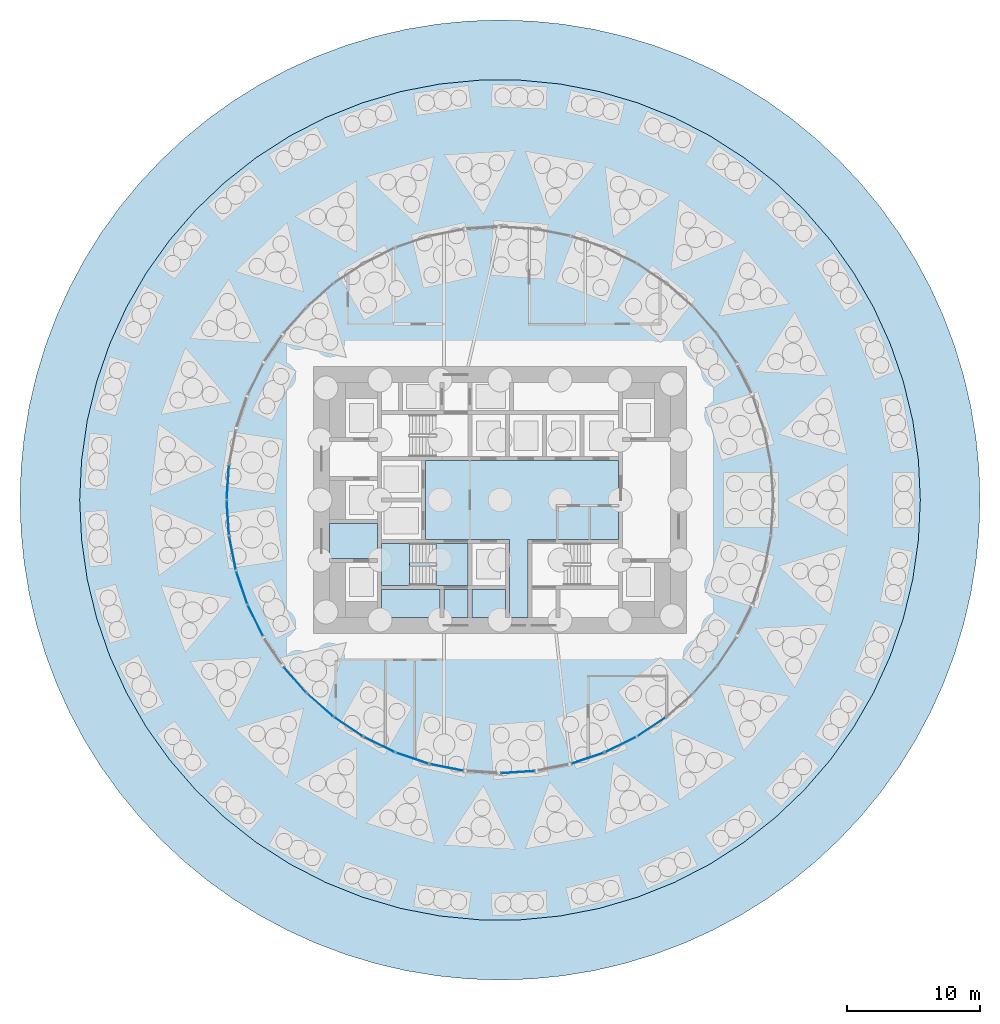
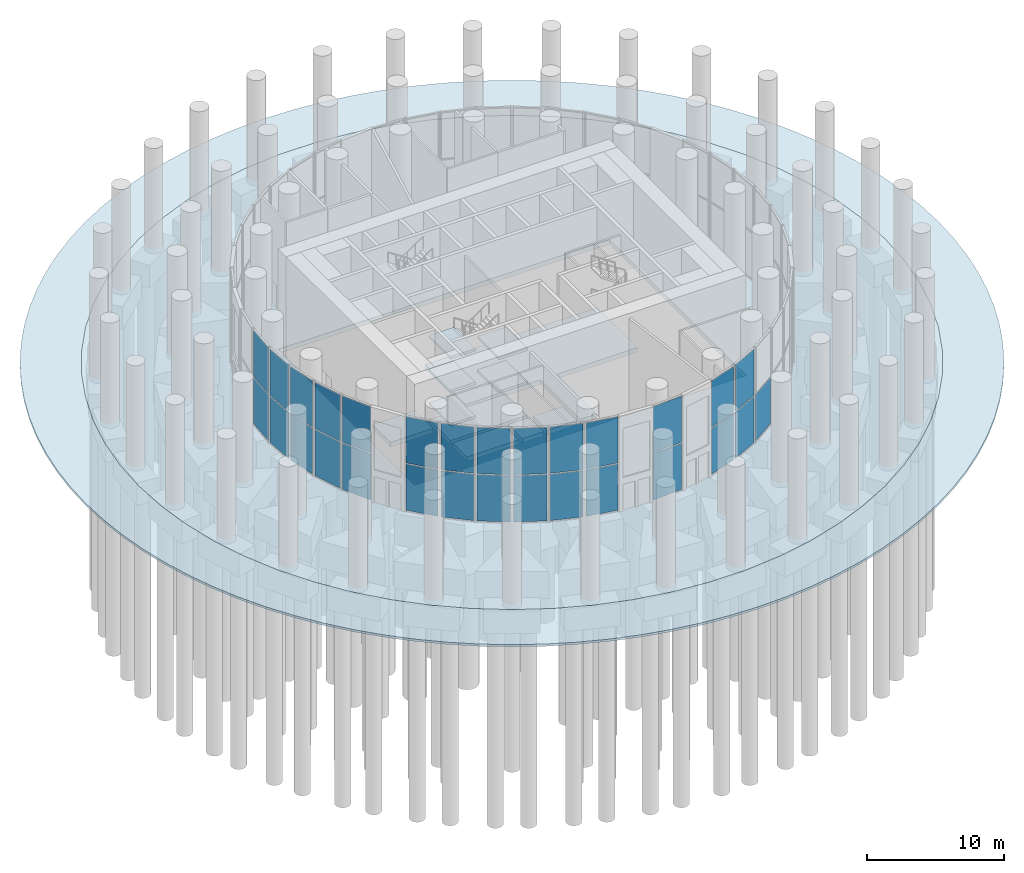
# One storey, part 10 of 20: 29 plates, 13 slabs, 16 elements without a shape of their own.
"""IFC4 building model written with IfcOpenShell, lengths in metres."""

from ifc_helpers import new_model, si_unit, direction, frame, origin, origin_2d, place, context, subcontext, project, spatial, polyline, rectangle, outline, extrude, material, layer, layer_set, type_object, element, aggregate, save


model = new_model("IFC4")

# Units and contexts
model_context = context("Model", 3, precision=1e-05, world=origin(), true_north=direction((0.0, 1.0)))
body_context = subcontext(model_context, "Body", "Model", "MODEL_VIEW")
ifc_project = project(units=[si_unit("LENGTHUNIT", "METRE"), si_unit("AREAUNIT", "SQUARE_METRE"), si_unit("VOLUMEUNIT", "CUBIC_METRE"), si_unit("PLANEANGLEUNIT", "RADIAN"), si_unit("MASSUNIT", "GRAM", prefix="KILO")], contexts=[model_context])

# Site, building, storey
site_placement = place(None, origin())
site = spatial("IfcSite", under=ifc_project, at=site_placement, CompositionType="ELEMENT")
building_placement = place(site_placement, origin())
building = spatial("IfcBuilding", under=site, at=building_placement, Name="Tracery Tower", CompositionType="ELEMENT")
storey_placement = place(building_placement, origin())
storey = spatial("IfcBuildingStorey", under=building, at=storey_placement, Name="L00", CompositionType="ELEMENT", Elevation=0.0)

# Slabs
ifc_material_1 = material(Name="Concrete C60/75", Category="concrete")
ifc_layer_1 = layer(ifc_material_1, 0.39990234375)
ifc_layer_set_1 = layer_set([ifc_layer_1], Name="Core floor slab 400 C60")
slab_type_1 = type_object("IfcSlabType", Name="Core floor slab 400 C60", PredefinedType="FLOOR", material=ifc_layer_set_1)
slab_1_placement = place(storey_placement, frame((0.0, 0.0, -0.39990234375)))
element("IfcSlab", 1, at=slab_1_placement, inside=storey, type_object=slab_type_1, Name="L00 core floor 3", PredefinedType="FLOOR", context=body_context, shape_type="SweptSolid", body=[
    extrude(outline(polyline([(-5.60009765625, 2.949951171875), (8.89990234375, 2.949951171875), (8.89990234375, -2.949951171875), (2.10009765625, -2.949951171875), (2.10009765625, -8.800048828125), (0.699951171875, -8.800048828125), (0.699951171875, -2.949951171875), (-5.60009765625, -2.949951171875), (-5.60009765625, 2.949951171875)])), origin(), (0.0, 0.0, 1.0), 0.39990234375),
])
slab_2_placement = place(storey_placement, frame((0.0, 0.0, -0.39990234375)))
element("IfcSlab", 2, at=slab_2_placement, inside=storey, type_object=slab_type_1, Name="L00 core floor 8", PredefinedType="FLOOR", context=body_context, shape_type="SweptSolid", body=[
    extrude(outline(polyline([(-8.89990234375, -6.39990234375), (-8.89990234375, -3.25), (-2.39990234375, -3.25), (-2.39990234375, -6.39990234375), (-8.89990234375, -6.39990234375)])), origin(), (0.0, 0.0, 1.0), 0.39990234375),
])
slab_3_placement = place(storey_placement, frame((0.0, 0.0, -0.39990234375)))
element("IfcSlab", 3, at=slab_3_placement, inside=storey, type_object=slab_type_1, Name="L00 core floor 9", PredefinedType="FLOOR", context=body_context, shape_type="SweptSolid", body=[
    extrude(outline(polyline([(-8.89990234375, -8.800048828125), (-8.89990234375, -6.699951171875), (-4.5, -6.699951171875), (-4.5, -8.800048828125), (-8.89990234375, -8.800048828125)])), origin(), (0.0, 0.0, 1.0), 0.39990234375),
])
slab_4_placement = place(storey_placement, frame((0.0, 0.0, -0.39990234375)))
element("IfcSlab", 4, at=slab_4_placement, inside=storey, type_object=slab_type_1, Name="L00 core floor 10", PredefinedType="FLOOR", context=body_context, shape_type="SweptSolid", body=[
    extrude(outline(polyline([(-12.800048828125, -4.39990234375), (-12.800048828125, -1.75), (-9.199951171875, -1.75), (-9.199951171875, -4.39990234375), (-12.800048828125, -4.39990234375)])), origin(), (0.0, 0.0, 1.0), 0.39990234375),
])
slab_5_placement = place(storey_placement, frame((0.0, 0.0, -0.39990234375)))
element("IfcSlab", 5, at=slab_5_placement, inside=storey, type_object=slab_type_1, Name="L00 core floor 11", PredefinedType="FLOOR", context=body_context, shape_type="SweptSolid", body=[
    extrude(outline(polyline([(-2.39990234375, -6.699951171875), (-2.39990234375, -8.800048828125), (-4.199951171875, -8.800048828125), (-4.199951171875, -6.699951171875), (-2.39990234375, -6.699951171875)])), origin(), (0.0, 0.0, 1.0), 0.39990234375),
])
slab_6_placement = place(storey_placement, frame((0.0, 0.0, -0.39990234375)))
element("IfcSlab", 6, at=slab_6_placement, inside=storey, type_object=slab_type_1, Name="L00 core floor 12", PredefinedType="FLOOR", context=body_context, shape_type="SweptSolid", body=[
    extrude(outline(polyline([(0.39990234375, -6.699951171875), (0.39990234375, -8.800048828125), (-2.10009765625, -8.800048828125), (-2.10009765625, -6.699951171875), (0.39990234375, -6.699951171875)])), origin(), (0.0, 0.0, 1.0), 0.39990234375),
])

# Curtain wall, plates
ifc_material_2 = material(Name="Aluminium curtain wall with tinted glass", Category="aluminium")
curtain_wall_type = type_object("IfcCurtainWallType", Name="Pavilion storefront curtain wall", PredefinedType="NOTDEFINED", material=ifc_material_2)
curtain_wall_1_placement = place(storey_placement, origin())
curtain_wall_1 = element("IfcCurtainWall", 7, at=curtain_wall_1_placement, inside=storey, type_object=curtain_wall_type, Name="Pavilion storefront run 23", PredefinedType="NOTDEFINED")
ifc_material_3 = material(Name="Tinted laminated glass", Category="glass")
ifc_layer_2 = layer(ifc_material_3, 0.035888671875)
ifc_layer_set_2 = layer_set([ifc_layer_2], Name="Pavilion storefront glass panel 36")
plate_type = type_object("IfcPlateType", Name="Pavilion storefront glass panel 36", PredefinedType="CURTAIN_PANEL", material=ifc_layer_set_2)
plate_1_placement = place(storey_placement, frame((-20.412353515625, 1.337890625, 0.10009765625), z_axis=(0.0, 0.0, 1.0), x_axis=(-0.065421948674, -0.997857689569, 0.0)))
plate_1 = element("IfcPlate", 8, at=plate_1_placement, type_object=plate_type, Name="CWB1 panel 1.1", PredefinedType="CURTAIN_PANEL", context=body_context, shape_type="SweptSolid", body=[
    extrude(rectangle(XDim=2.461669921875, YDim=0.035888671875, at=origin_2d()), origin(), (0.0, 0.0, 1.0), 4.125),
])
plate_2_placement = place(storey_placement, frame((-20.412353515625, 1.337890625, 4.324951171875), z_axis=(0.0, 0.0, 1.0), x_axis=(-0.065421948674, -0.997857689569, 0.0)))
plate_2 = element("IfcPlate", 9, at=plate_2_placement, type_object=plate_type, Name="CWB1 panel 1.2", PredefinedType="CURTAIN_PANEL", context=body_context, shape_type="SweptSolid", body=[
    extrude(rectangle(XDim=2.461669921875, YDim=0.035888671875, at=origin_2d()), origin(), (0.0, 0.0, 1.0), 4.125),
])
aggregate(curtain_wall_1, [plate_1, plate_2])

curtain_wall_2_placement = place(storey_placement, origin())
curtain_wall_2 = element("IfcCurtainWall", 10, at=curtain_wall_2_placement, inside=storey, type_object=curtain_wall_type, Name="Pavilion storefront run 24", PredefinedType="NOTDEFINED")
plate_3_placement = place(storey_placement, frame((-20.412353515625, -1.337890625, 0.10009765625), z_axis=(0.0, 0.0, 1.0), x_axis=(0.065421948674, -0.997857689569, 0.0)))
plate_3 = element("IfcPlate", 11, at=plate_3_placement, type_object=plate_type, Name="CWB1 panel 1.1", PredefinedType="CURTAIN_PANEL", context=body_context, shape_type="SweptSolid", body=[
    extrude(rectangle(XDim=2.461669921875, YDim=0.035888671875, at=origin_2d()), origin(), (0.0, 0.0, 1.0), 4.125),
])
plate_4_placement = place(storey_placement, frame((-20.412353515625, -1.337890625, 4.324951171875), z_axis=(0.0, 0.0, 1.0), x_axis=(0.065421948674, -0.997857689569, 0.0)))
plate_4 = element("IfcPlate", 12, at=plate_4_placement, type_object=plate_type, Name="CWB1 panel 1.2", PredefinedType="CURTAIN_PANEL", context=body_context, shape_type="SweptSolid", body=[
    extrude(rectangle(XDim=2.461669921875, YDim=0.035888671875, at=origin_2d()), origin(), (0.0, 0.0, 1.0), 4.125),
])
aggregate(curtain_wall_2, [plate_3, plate_4])

curtain_wall_3_placement = place(storey_placement, origin())
curtain_wall_3 = element("IfcCurtainWall", 13, at=curtain_wall_3_placement, inside=storey, type_object=curtain_wall_type, Name="Pavilion storefront run 25", PredefinedType="NOTDEFINED")
plate_5_placement = place(storey_placement, frame((-20.06298828125, -3.99072265625, 0.10009765625), z_axis=(0.0, 0.0, 1.0), x_axis=(0.195073758352, -0.980788574976, 0.0)))
plate_5 = element("IfcPlate", 14, at=plate_5_placement, type_object=plate_type, Name="CWB1 panel 1.1", PredefinedType="CURTAIN_PANEL", context=body_context, shape_type="SweptSolid", body=[
    extrude(rectangle(XDim=2.461669921875, YDim=0.035888671875, at=origin_2d()), origin(), (0.0, 0.0, 1.0), 4.125),
])
plate_6_placement = place(storey_placement, frame((-20.06298828125, -3.99072265625, 4.324951171875), z_axis=(0.0, 0.0, 1.0), x_axis=(0.195073758352, -0.980788574976, 0.0)))
plate_6 = element("IfcPlate", 15, at=plate_6_placement, type_object=plate_type, Name="CWB1 panel 1.2", PredefinedType="CURTAIN_PANEL", context=body_context, shape_type="SweptSolid", body=[
    extrude(rectangle(XDim=2.461669921875, YDim=0.035888671875, at=origin_2d()), origin(), (0.0, 0.0, 1.0), 4.125),
])
aggregate(curtain_wall_3, [plate_5, plate_6])

curtain_wall_4_placement = place(storey_placement, origin())
curtain_wall_4 = element("IfcCurtainWall", 16, at=curtain_wall_4_placement, inside=storey, type_object=curtain_wall_type, Name="Pavilion storefront run 26", PredefinedType="NOTDEFINED")
plate_7_placement = place(storey_placement, frame((-19.37060546875, -6.575439453125, 0.10009765625), z_axis=(0.0, 0.0, 1.0), x_axis=(0.32143545964, -0.946931489225, 0.0)))
plate_7 = element("IfcPlate", 17, at=plate_7_placement, type_object=plate_type, Name="CWB1 panel 1.1", PredefinedType="CURTAIN_PANEL", context=body_context, shape_type="SweptSolid", body=[
    extrude(rectangle(XDim=2.46142578125, YDim=0.035888671875, at=origin_2d()), origin(), (0.0, 0.0, 1.0), 4.125),
])
plate_8_placement = place(storey_placement, frame((-19.37060546875, -6.575439453125, 4.324951171875), z_axis=(0.0, 0.0, 1.0), x_axis=(0.32143545964, -0.946931489225, 0.0)))
plate_8 = element("IfcPlate", 18, at=plate_8_placement, type_object=plate_type, Name="CWB1 panel 1.2", PredefinedType="CURTAIN_PANEL", context=body_context, shape_type="SweptSolid", body=[
    extrude(rectangle(XDim=2.46142578125, YDim=0.035888671875, at=origin_2d()), origin(), (0.0, 0.0, 1.0), 4.125),
])
aggregate(curtain_wall_4, [plate_7, plate_8])

curtain_wall_5_placement = place(storey_placement, origin())
curtain_wall_5 = element("IfcCurtainWall", 19, at=curtain_wall_5_placement, inside=storey, type_object=curtain_wall_type, Name="Pavilion storefront run 27", PredefinedType="NOTDEFINED")
plate_9_placement = place(storey_placement, frame((-18.346435546875, -9.047607421875, 0.10009765625), z_axis=(0.0, 0.0, 1.0), x_axis=(0.442286554251, -0.896873794872, 0.0)))
plate_9 = element("IfcPlate", 20, at=plate_9_placement, type_object=plate_type, Name="CWB1 panel 1.1", PredefinedType="CURTAIN_PANEL", context=body_context, shape_type="SweptSolid", body=[
    extrude(rectangle(XDim=2.46142578125, YDim=0.035888671875, at=origin_2d()), origin(), (0.0, 0.0, 1.0), 4.125),
])
plate_10_placement = place(storey_placement, frame((-18.346435546875, -9.047607421875, 4.324951171875), z_axis=(0.0, 0.0, 1.0), x_axis=(0.442286554251, -0.896873794872, 0.0)))
plate_10 = element("IfcPlate", 21, at=plate_10_placement, type_object=plate_type, Name="CWB1 panel 1.2", PredefinedType="CURTAIN_PANEL", context=body_context, shape_type="SweptSolid", body=[
    extrude(rectangle(XDim=2.46142578125, YDim=0.035888671875, at=origin_2d()), origin(), (0.0, 0.0, 1.0), 4.125),
])
aggregate(curtain_wall_5, [plate_9, plate_10])

curtain_wall_6_placement = place(storey_placement, origin())
curtain_wall_6 = element("IfcCurtainWall", 22, at=curtain_wall_6_placement, inside=storey, type_object=curtain_wall_type, Name="Pavilion storefront run 29", PredefinedType="NOTDEFINED")
plate_11_placement = place(storey_placement, frame((-15.379638671875, -13.487548828125, 0.10009765625), z_axis=(0.0, 0.0, 1.0), x_axis=(0.659350537973, -0.751835665604, 0.0)))
plate_11 = element("IfcPlate", 23, at=plate_11_placement, type_object=plate_type, Name="CWB1 panel 1.1", PredefinedType="CURTAIN_PANEL", context=body_context, shape_type="SweptSolid", body=[
    extrude(rectangle(XDim=2.46142578125, YDim=0.035888671875, at=origin_2d()), origin(), (0.0, 0.0, 1.0), 4.125),
])
plate_12_placement = place(storey_placement, frame((-15.379638671875, -13.487548828125, 4.324951171875), z_axis=(0.0, 0.0, 1.0), x_axis=(0.659350537973, -0.751835665604, 0.0)))
plate_12 = element("IfcPlate", 24, at=plate_12_placement, type_object=plate_type, Name="CWB1 panel 1.2", PredefinedType="CURTAIN_PANEL", context=body_context, shape_type="SweptSolid", body=[
    extrude(rectangle(XDim=2.46142578125, YDim=0.035888671875, at=origin_2d()), origin(), (0.0, 0.0, 1.0), 4.125),
])
aggregate(curtain_wall_6, [plate_11, plate_12])

curtain_wall_7_placement = place(storey_placement, origin())
curtain_wall_7 = element("IfcCurtainWall", 25, at=curtain_wall_7_placement, inside=storey, type_object=curtain_wall_type, Name="Pavilion storefront run 30", PredefinedType="NOTDEFINED")
plate_13_placement = place(storey_placement, frame((-13.487548828125, -15.379638671875, 0.10009765625), z_axis=(0.0, 0.0, 1.0), x_axis=(0.751835665604, -0.659350537973, 0.0)))
plate_13 = element("IfcPlate", 26, at=plate_13_placement, type_object=plate_type, Name="CWB1 panel 1.1", PredefinedType="CURTAIN_PANEL", context=body_context, shape_type="SweptSolid", body=[
    extrude(rectangle(XDim=2.46142578125, YDim=0.035888671875, at=origin_2d()), origin(), (0.0, 0.0, 1.0), 4.125),
])
plate_14_placement = place(storey_placement, frame((-13.487548828125, -15.379638671875, 4.324951171875), z_axis=(0.0, 0.0, 1.0), x_axis=(0.751835665604, -0.659350537973, 0.0)))
plate_14 = element("IfcPlate", 27, at=plate_14_placement, type_object=plate_type, Name="CWB1 panel 1.2", PredefinedType="CURTAIN_PANEL", context=body_context, shape_type="SweptSolid", body=[
    extrude(rectangle(XDim=2.46142578125, YDim=0.035888671875, at=origin_2d()), origin(), (0.0, 0.0, 1.0), 4.125),
])
aggregate(curtain_wall_7, [plate_13, plate_14])

curtain_wall_8_placement = place(storey_placement, origin())
curtain_wall_8 = element("IfcCurtainWall", 28, at=curtain_wall_8_placement, inside=storey, type_object=curtain_wall_type, Name="Pavilion storefront run 31", PredefinedType="NOTDEFINED")
plate_15_placement = place(storey_placement, frame((-11.36474609375, -17.008544921875, 0.10009765625), z_axis=(0.0, 0.0, 1.0), x_axis=(0.83147621975, -0.555560344148, 0.0)))
plate_15 = element("IfcPlate", 29, at=plate_15_placement, type_object=plate_type, Name="CWB1 panel 1.1", PredefinedType="CURTAIN_PANEL", context=body_context, shape_type="SweptSolid", body=[
    extrude(rectangle(XDim=2.46142578125, YDim=0.035888671875, at=origin_2d()), origin(), (0.0, 0.0, 1.0), 4.125),
])
plate_16_placement = place(storey_placement, frame((-11.36474609375, -17.008544921875, 4.324951171875), z_axis=(0.0, 0.0, 1.0), x_axis=(0.83147621975, -0.555560344148, 0.0)))
plate_16 = element("IfcPlate", 30, at=plate_16_placement, type_object=plate_type, Name="CWB1 panel 1.2", PredefinedType="CURTAIN_PANEL", context=body_context, shape_type="SweptSolid", body=[
    extrude(rectangle(XDim=2.46142578125, YDim=0.035888671875, at=origin_2d()), origin(), (0.0, 0.0, 1.0), 4.125),
])
aggregate(curtain_wall_8, [plate_15, plate_16])

curtain_wall_9_placement = place(storey_placement, origin())
curtain_wall_9 = element("IfcCurtainWall", 31, at=curtain_wall_9_placement, inside=storey, type_object=curtain_wall_type, Name="Pavilion storefront run 32", PredefinedType="NOTDEFINED")
plate_17_placement = place(storey_placement, frame((-9.047607421875, -18.346435546875, 0.10009765625), z_axis=(0.0, 0.0, 1.0), x_axis=(0.896873794872, -0.442286554251, 0.0)))
plate_17 = element("IfcPlate", 32, at=plate_17_placement, type_object=plate_type, Name="CWB1 panel 1.1", PredefinedType="CURTAIN_PANEL", context=body_context, shape_type="SweptSolid", body=[
    extrude(rectangle(XDim=2.46142578125, YDim=0.035888671875, at=origin_2d()), origin(), (0.0, 0.0, 1.0), 4.125),
])
plate_18_placement = place(storey_placement, frame((-9.047607421875, -18.346435546875, 4.324951171875), z_axis=(0.0, 0.0, 1.0), x_axis=(0.896873794872, -0.442286554251, 0.0)))
plate_18 = element("IfcPlate", 33, at=plate_18_placement, type_object=plate_type, Name="CWB1 panel 1.2", PredefinedType="CURTAIN_PANEL", context=body_context, shape_type="SweptSolid", body=[
    extrude(rectangle(XDim=2.46142578125, YDim=0.035888671875, at=origin_2d()), origin(), (0.0, 0.0, 1.0), 4.125),
])
aggregate(curtain_wall_9, [plate_17, plate_18])

curtain_wall_10_placement = place(storey_placement, origin())
curtain_wall_10 = element("IfcCurtainWall", 34, at=curtain_wall_10_placement, inside=storey, type_object=curtain_wall_type, Name="Pavilion storefront run 33", PredefinedType="NOTDEFINED")
plate_19_placement = place(storey_placement, frame((-6.575439453125, -19.37060546875, 0.10009765625), z_axis=(0.0, 0.0, 1.0), x_axis=(0.946931489225, -0.32143545964, 0.0)))
plate_19 = element("IfcPlate", 35, at=plate_19_placement, type_object=plate_type, Name="CWB1 panel 1.1", PredefinedType="CURTAIN_PANEL", context=body_context, shape_type="SweptSolid", body=[
    extrude(rectangle(XDim=2.46142578125, YDim=0.035888671875, at=origin_2d()), origin(), (0.0, 0.0, 1.0), 4.125),
])
plate_20_placement = place(storey_placement, frame((-6.575439453125, -19.37060546875, 4.324951171875), z_axis=(0.0, 0.0, 1.0), x_axis=(0.946931489225, -0.32143545964, 0.0)))
plate_20 = element("IfcPlate", 36, at=plate_20_placement, type_object=plate_type, Name="CWB1 panel 1.2", PredefinedType="CURTAIN_PANEL", context=body_context, shape_type="SweptSolid", body=[
    extrude(rectangle(XDim=2.46142578125, YDim=0.035888671875, at=origin_2d()), origin(), (0.0, 0.0, 1.0), 4.125),
])
aggregate(curtain_wall_10, [plate_19, plate_20])

curtain_wall_11_placement = place(storey_placement, origin())
curtain_wall_11 = element("IfcCurtainWall", 37, at=curtain_wall_11_placement, inside=storey, type_object=curtain_wall_type, Name="Pavilion storefront run 34", PredefinedType="NOTDEFINED")
plate_21_placement = place(storey_placement, frame((-3.99072265625, -20.06298828125, 0.10009765625), z_axis=(0.0, 0.0, 1.0), x_axis=(0.980788574976, -0.195073758352, 0.0)))
plate_21 = element("IfcPlate", 38, at=plate_21_placement, type_object=plate_type, Name="CWB1 panel 1.1", PredefinedType="CURTAIN_PANEL", context=body_context, shape_type="SweptSolid", body=[
    extrude(rectangle(XDim=2.461669921875, YDim=0.035888671875, at=origin_2d()), origin(), (0.0, 0.0, 1.0), 4.125),
])
plate_22_placement = place(storey_placement, frame((-3.99072265625, -20.06298828125, 4.324951171875), z_axis=(0.0, 0.0, 1.0), x_axis=(0.980788574976, -0.195073758352, 0.0)))
plate_22 = element("IfcPlate", 39, at=plate_22_placement, type_object=plate_type, Name="CWB1 panel 1.2", PredefinedType="CURTAIN_PANEL", context=body_context, shape_type="SweptSolid", body=[
    extrude(rectangle(XDim=2.461669921875, YDim=0.035888671875, at=origin_2d()), origin(), (0.0, 0.0, 1.0), 4.125),
])
aggregate(curtain_wall_11, [plate_21, plate_22])

curtain_wall_12_placement = place(storey_placement, origin())
curtain_wall_12 = element("IfcCurtainWall", 40, at=curtain_wall_12_placement, inside=storey, type_object=curtain_wall_type, Name="Pavilion storefront run 36", PredefinedType="NOTDEFINED")
plate_23_placement = place(storey_placement, frame((1.337890625, -20.412353515625, 0.10009765625), z_axis=(0.0, 0.0, 1.0), x_axis=(0.997857689569, 0.065421948674, 0.0)))
plate_23 = element("IfcPlate", 41, at=plate_23_placement, type_object=plate_type, Name="CWB1 panel 1.1", PredefinedType="CURTAIN_PANEL", context=body_context, shape_type="SweptSolid", body=[
    extrude(rectangle(XDim=2.461669921875, YDim=0.035888671875, at=origin_2d()), origin(), (0.0, 0.0, 1.0), 4.125),
])
plate_24_placement = place(storey_placement, frame((1.337890625, -20.412353515625, 4.324951171875), z_axis=(0.0, 0.0, 1.0), x_axis=(0.997857689569, 0.065421948674, 0.0)))
plate_24 = element("IfcPlate", 42, at=plate_24_placement, type_object=plate_type, Name="CWB1 panel 1.2", PredefinedType="CURTAIN_PANEL", context=body_context, shape_type="SweptSolid", body=[
    extrude(rectangle(XDim=2.461669921875, YDim=0.035888671875, at=origin_2d()), origin(), (0.0, 0.0, 1.0), 4.125),
])
aggregate(curtain_wall_12, [plate_23, plate_24])

curtain_wall_13_placement = place(storey_placement, origin())
curtain_wall_13 = element("IfcCurtainWall", 43, at=curtain_wall_13_placement, inside=storey, type_object=curtain_wall_type, Name="Pavilion storefront run 38", PredefinedType="NOTDEFINED")
plate_25_placement = place(storey_placement, frame((6.575439453125, -19.37060546875, 0.10009765625), z_axis=(0.0, 0.0, 1.0), x_axis=(0.946931489225, 0.32143545964, 0.0)))
plate_25 = element("IfcPlate", 44, at=plate_25_placement, type_object=plate_type, Name="CWB1 panel 1.1", PredefinedType="CURTAIN_PANEL", context=body_context, shape_type="SweptSolid", body=[
    extrude(rectangle(XDim=2.46142578125, YDim=0.035888671875, at=origin_2d()), origin(), (0.0, 0.0, 1.0), 4.125),
])
plate_26_placement = place(storey_placement, frame((6.575439453125, -19.37060546875, 4.324951171875), z_axis=(0.0, 0.0, 1.0), x_axis=(0.946931489225, 0.32143545964, 0.0)))
plate_26 = element("IfcPlate", 45, at=plate_26_placement, type_object=plate_type, Name="CWB1 panel 1.2", PredefinedType="CURTAIN_PANEL", context=body_context, shape_type="SweptSolid", body=[
    extrude(rectangle(XDim=2.46142578125, YDim=0.035888671875, at=origin_2d()), origin(), (0.0, 0.0, 1.0), 4.125),
])
aggregate(curtain_wall_13, [plate_25, plate_26])

curtain_wall_14_placement = place(storey_placement, origin())
curtain_wall_14 = element("IfcCurtainWall", 46, at=curtain_wall_14_placement, inside=storey, type_object=curtain_wall_type, Name="Pavilion storefront run 39", PredefinedType="NOTDEFINED")
plate_27_placement = place(storey_placement, frame((9.047607421875, -18.346435546875, 0.10009765625), z_axis=(0.0, 0.0, 1.0), x_axis=(0.896873794872, 0.442286554251, 0.0)))
plate_27 = element("IfcPlate", 47, at=plate_27_placement, type_object=plate_type, Name="CWB1 panel 1.1", PredefinedType="CURTAIN_PANEL", context=body_context, shape_type="SweptSolid", body=[
    extrude(rectangle(XDim=2.46142578125, YDim=0.035888671875, at=origin_2d()), origin(), (0.0, 0.0, 1.0), 4.125),
])
plate_28_placement = place(storey_placement, frame((9.047607421875, -18.346435546875, 4.324951171875), z_axis=(0.0, 0.0, 1.0), x_axis=(0.896873794872, 0.442286554251, 0.0)))
plate_28 = element("IfcPlate", 48, at=plate_28_placement, type_object=plate_type, Name="CWB1 panel 1.2", PredefinedType="CURTAIN_PANEL", context=body_context, shape_type="SweptSolid", body=[
    extrude(rectangle(XDim=2.46142578125, YDim=0.035888671875, at=origin_2d()), origin(), (0.0, 0.0, 1.0), 4.125),
])
aggregate(curtain_wall_14, [plate_27, plate_28])

# Curtain wall, plate
curtain_wall_15_placement = place(storey_placement, origin())
curtain_wall_15 = element("IfcCurtainWall", 49, at=curtain_wall_15_placement, inside=storey, type_object=curtain_wall_type, Name="Pavilion storefront run 40", PredefinedType="NOTDEFINED")
plate_29_placement = place(storey_placement, frame((11.36474609375, -17.008544921875, 0.10009765625), z_axis=(0.0, 0.0, 1.0), x_axis=(0.83147621975, 0.555560344148, 0.0)))
plate_29 = element("IfcPlate", 50, at=plate_29_placement, type_object=plate_type, Name="CWB1 panel 1.1", PredefinedType="CURTAIN_PANEL", context=body_context, shape_type="SweptSolid", body=[
    extrude(rectangle(XDim=2.46142578125, YDim=0.035888671875, at=origin_2d()), origin(), (0.0, 0.0, 1.0), 4.125),
])
aggregate(curtain_wall_15, [plate_29])

# Slabs
ifc_material_4 = material(Name="Granite paving", Category="masonry")
ifc_layer_3 = layer(ifc_material_4, 0.199951171875)
ifc_layer_set_3 = layer_set([ifc_layer_3], Name="Plaza paving slab 200")
slab_type_2 = type_object("IfcSlabType", Name="Plaza paving slab 200", PredefinedType="USERDEFINED", material=ifc_layer_set_3)
slab_7_placement = place(storey_placement, frame((0.0, 0.0, -0.199951171875)))
element("IfcSlab", 51, at=slab_7_placement, inside=storey, type_object=slab_type_2, Name="Plaza paving", ObjectType="PAVING", PredefinedType="USERDEFINED", context=body_context, shape_type="SweptSolid", body=[
    extrude(outline(polyline([(36.0, 0.0), (35.9228515625, 2.3544921875), (35.69189453125, 4.698974609375), (35.308349609375, 7.023193359375), (34.773193359375, 9.3173828125), (34.089599609375, 11.57177734375), (33.259765625, 13.776611328125), (32.287353515625, 15.92236328125), (31.177001953125, 18.0), (29.932861328125, 20.00048828125), (28.560791015625, 21.915283203125), (27.066162109375, 23.736328125), (25.455810546875, 25.455810546875), (23.736328125, 27.066162109375), (21.915283203125, 28.560791015625), (20.00048828125, 29.932861328125), (18.0, 31.177001953125), (15.92236328125, 32.287353515625), (13.776611328125, 33.259765625), (11.57177734375, 34.089599609375), (9.3173828125, 34.773193359375), (7.023193359375, 35.308349609375), (4.698974609375, 35.69189453125), (2.3544921875, 35.9228515625), (0.0, 36.0), (-2.3544921875, 35.9228515625), (-4.698974609375, 35.69189453125), (-7.023193359375, 35.308349609375), (-9.3173828125, 34.773193359375), (-11.57177734375, 34.089599609375), (-13.776611328125, 33.259765625), (-15.92236328125, 32.287353515625), (-18.0, 31.177001953125), (-20.00048828125, 29.932861328125), (-21.915283203125, 28.560791015625), (-23.736328125, 27.066162109375), (-25.455810546875, 25.455810546875), (-27.066162109375, 23.736328125), (-28.560791015625, 21.915283203125), (-29.932861328125, 20.00048828125), (-31.177001953125, 18.0), (-32.287353515625, 15.92236328125), (-33.259765625, 13.776611328125), (-34.089599609375, 11.57177734375), (-34.773193359375, 9.3173828125), (-35.308349609375, 7.023193359375), (-35.69189453125, 4.698974609375), (-35.9228515625, 2.3544921875), (-36.0, 0.0), (-35.9228515625, -2.3544921875), (-35.69189453125, -4.698974609375), (-35.308349609375, -7.023193359375), (-34.773193359375, -9.3173828125), (-34.089599609375, -11.57177734375), (-33.259765625, -13.776611328125), (-32.287353515625, -15.92236328125), (-31.177001953125, -18.0), (-29.932861328125, -20.00048828125), (-28.560791015625, -21.915283203125), (-27.066162109375, -23.736328125), (-25.455810546875, -25.455810546875), (-23.736328125, -27.066162109375), (-21.915283203125, -28.560791015625), (-20.00048828125, -29.932861328125), (-18.0, -31.177001953125), (-15.92236328125, -32.287353515625), (-13.776611328125, -33.259765625), (-11.57177734375, -34.089599609375), (-9.3173828125, -34.773193359375), (-7.023193359375, -35.308349609375), (-4.698974609375, -35.69189453125), (-2.3544921875, -35.9228515625), (0.0, -36.0), (2.3544921875, -35.9228515625), (4.698974609375, -35.69189453125), (7.023193359375, -35.308349609375), (9.3173828125, -34.773193359375), (11.57177734375, -34.089599609375), (13.776611328125, -33.259765625), (15.92236328125, -32.287353515625), (18.0, -31.177001953125), (20.00048828125, -29.932861328125), (21.915283203125, -28.560791015625), (23.736328125, -27.066162109375), (25.455810546875, -25.455810546875), (27.066162109375, -23.736328125), (28.560791015625, -21.915283203125), (29.932861328125, -20.00048828125), (31.177001953125, -18.0), (32.287353515625, -15.92236328125), (33.259765625, -13.776611328125), (34.089599609375, -11.57177734375), (34.773193359375, -9.3173828125), (35.308349609375, -7.023193359375), (35.69189453125, -4.698974609375), (35.9228515625, -2.3544921875), (36.0, 0.0)]), holes=[polyline([(31.3818359375, -2.99658203125), (30.954833984375, -5.966064453125), (30.24755859375, -8.881591796875), (29.266357421875, -11.716552734375), (28.020263671875, -14.4453125), (26.520263671875, -17.04345703125), (24.780029296875, -19.4873046875), (22.8154296875, -21.75439453125), (20.644287109375, -23.82470703125), (18.2861328125, -25.67919921875), (15.76220703125, -27.301025390625), (13.095703125, -28.67578125), (10.310791015625, -29.790771484375), (7.43212890625, -30.635986328125), (4.486328125, -31.20361328125), (1.5, -31.489013671875), (-1.5, -31.489013671875), (-4.486328125, -31.20361328125), (-7.43212890625, -30.635986328125), (-10.310791015625, -29.790771484375), (-13.095703125, -28.67578125), (-15.76220703125, -27.301025390625), (-18.2861328125, -25.67919921875), (-20.644287109375, -23.82470703125), (-22.8154296875, -21.75439453125), (-24.780029296875, -19.4873046875), (-26.520263671875, -17.04345703125), (-28.020263671875, -14.4453125), (-29.266357421875, -11.716552734375), (-30.24755859375, -8.881591796875), (-30.954833984375, -5.966064453125), (-31.3818359375, -2.99658203125), (-31.524658203125, 0.0), (-31.3818359375, 2.99658203125), (-30.954833984375, 5.966064453125), (-30.24755859375, 8.881591796875), (-29.266357421875, 11.716552734375), (-28.020263671875, 14.4453125), (-26.520263671875, 17.04345703125), (-24.780029296875, 19.4873046875), (-22.8154296875, 21.75439453125), (-20.644287109375, 23.82470703125), (-18.2861328125, 25.67919921875), (-15.76220703125, 27.301025390625), (-13.095703125, 28.67578125), (-10.310791015625, 29.790771484375), (-7.43212890625, 30.635986328125), (-4.486328125, 31.20361328125), (-1.5, 31.489013671875), (1.5, 31.489013671875), (4.486328125, 31.20361328125), (7.43212890625, 30.635986328125), (10.310791015625, 29.790771484375), (13.095703125, 28.67578125), (15.76220703125, 27.301025390625), (18.2861328125, 25.67919921875), (20.644287109375, 23.82470703125), (22.8154296875, 21.75439453125), (24.780029296875, 19.4873046875), (26.520263671875, 17.04345703125), (28.020263671875, 14.4453125), (29.266357421875, 11.716552734375), (30.24755859375, 8.881591796875), (30.954833984375, 5.966064453125), (31.3818359375, 2.99658203125), (31.524658203125, 0.0), (31.3818359375, -2.99658203125)])]), origin(), (0.0, 0.0, 1.0), 0.199951171875),
])
ifc_material_5 = material(Name="Concrete C32/40", Category="concrete")
ifc_layer_4 = layer(ifc_material_5, 0.39990234375)
ifc_layer_set_4 = layer_set([ifc_layer_4], Name="Slab on grade 400")
slab_type_3 = type_object("IfcSlabType", Name="Slab on grade 400", PredefinedType="BASESLAB", material=ifc_layer_set_4)
slab_8_placement = place(storey_placement, frame((0.0, 0.0, -0.39990234375)))
element("IfcSlab", 52, at=slab_8_placement, inside=storey, type_object=slab_type_3, Name="Slab on grade", PredefinedType="BASESLAB", context=body_context, shape_type="SweptSolid", body=[
    extrude(outline(polyline([(31.524658203125, 0.0), (31.3818359375, 2.99658203125), (30.954833984375, 5.966064453125), (30.24755859375, 8.881591796875), (29.266357421875, 11.716552734375), (28.020263671875, 14.4453125), (26.520263671875, 17.04345703125), (24.780029296875, 19.4873046875), (22.8154296875, 21.75439453125), (20.644287109375, 23.82470703125), (18.2861328125, 25.67919921875), (15.76220703125, 27.301025390625), (13.095703125, 28.67578125), (10.310791015625, 29.790771484375), (7.43212890625, 30.635986328125), (4.486328125, 31.20361328125), (1.5, 31.489013671875), (-1.5, 31.489013671875), (-4.486328125, 31.20361328125), (-7.43212890625, 30.635986328125), (-10.310791015625, 29.790771484375), (-13.095703125, 28.67578125), (-15.76220703125, 27.301025390625), (-18.2861328125, 25.67919921875), (-20.644287109375, 23.82470703125), (-22.8154296875, 21.75439453125), (-24.780029296875, 19.4873046875), (-26.520263671875, 17.04345703125), (-28.020263671875, 14.4453125), (-29.266357421875, 11.716552734375), (-30.24755859375, 8.881591796875), (-30.954833984375, 5.966064453125), (-31.3818359375, 2.99658203125), (-31.524658203125, 0.0), (-31.3818359375, -2.99658203125), (-30.954833984375, -5.966064453125), (-30.24755859375, -8.881591796875), (-29.266357421875, -11.716552734375), (-28.020263671875, -14.4453125), (-26.520263671875, -17.04345703125), (-24.780029296875, -19.4873046875), (-22.8154296875, -21.75439453125), (-20.644287109375, -23.82470703125), (-18.2861328125, -25.67919921875), (-15.76220703125, -27.301025390625), (-13.095703125, -28.67578125), (-10.310791015625, -29.790771484375), (-7.43212890625, -30.635986328125), (-4.486328125, -31.20361328125), (-1.5, -31.489013671875), (1.5, -31.489013671875), (4.486328125, -31.20361328125), (7.43212890625, -30.635986328125), (10.310791015625, -29.790771484375), (13.095703125, -28.67578125), (15.76220703125, -27.301025390625), (18.2861328125, -25.67919921875), (20.644287109375, -23.82470703125), (22.8154296875, -21.75439453125), (24.780029296875, -19.4873046875), (26.520263671875, -17.04345703125), (28.020263671875, -14.4453125), (29.266357421875, -11.716552734375), (30.24755859375, -8.881591796875), (30.954833984375, -5.966064453125), (31.3818359375, -2.99658203125), (31.524658203125, 0.0)]), holes=[polyline([(-14.0, -10.0), (14.0, -10.0), (14.0, 10.0), (-14.0, 10.0), (-14.0, -10.0)])]), origin(), (0.0, 0.0, 1.0), 0.39990234375),
])

# Stair, slabs
ifc_material_6 = material(Name="Concrete C32/40", Category="concrete")
stair_type = type_object("IfcStairType", Name="Core stair 54 risers", PredefinedType="HALF_TURN_STAIR", material=ifc_material_6)
stair_placement = place(storey_placement, origin())
stair = element("IfcStair", 53, at=stair_placement, inside=storey, type_object=stair_type, Name="L00 stair ST1", PredefinedType="HALF_TURN_STAIR")
ifc_material_7 = material(Name="Concrete C32/40", Category="concrete")
ifc_layer_5 = layer(ifc_material_7, 0.199951171875)
ifc_layer_set_5 = layer_set([ifc_layer_5], Name="Stair landing slab 200")
slab_type_4 = type_object("IfcSlabType", Name="Stair landing slab 200", PredefinedType="LANDING", material=ifc_layer_set_5)
slab_9_placement = place(storey_placement, frame((0.0, 0.0, 1.300048828125)))
slab_9 = element("IfcSlab", 54, at=slab_9_placement, type_object=slab_type_4, Name="ST1 landing 1", PredefinedType="LANDING", context=body_context, shape_type="SweptSolid", body=[
    extrude(outline(polyline([(-6.79931640625, -3.25), (-8.89990234375, -3.25), (-8.89990234375, -6.39990234375), (-6.79931640625, -6.39990234375), (-6.79931640625, -3.25)])), origin(), (0.0, 0.0, 1.0), 0.199951171875),
])
slab_10_placement = place(storey_placement, frame((0.0, 0.0, 2.800048828125)))
slab_10 = element("IfcSlab", 55, at=slab_10_placement, type_object=slab_type_4, Name="ST1 landing 2", PredefinedType="LANDING", context=body_context, shape_type="SweptSolid", body=[
    extrude(outline(polyline([(-2.39990234375, -3.25), (-4.800537109375, -3.25), (-4.800537109375, -6.39990234375), (-2.39990234375, -6.39990234375), (-2.39990234375, -3.25)])), origin(), (0.0, 0.0, 1.0), 0.199951171875),
])
slab_11_placement = place(storey_placement, frame((0.0, 0.0, 4.300048828125)))
slab_11 = element("IfcSlab", 56, at=slab_11_placement, type_object=slab_type_4, Name="ST1 landing 3", PredefinedType="LANDING", context=body_context, shape_type="SweptSolid", body=[
    extrude(outline(polyline([(-6.79931640625, -3.25), (-8.89990234375, -3.25), (-8.89990234375, -6.39990234375), (-6.79931640625, -6.39990234375), (-6.79931640625, -3.25)])), origin(), (0.0, 0.0, 1.0), 0.199951171875),
])
slab_12_placement = place(storey_placement, frame((0.0, 0.0, 5.800048828125)))
slab_12 = element("IfcSlab", 57, at=slab_12_placement, type_object=slab_type_4, Name="ST1 landing 4", PredefinedType="LANDING", context=body_context, shape_type="SweptSolid", body=[
    extrude(outline(polyline([(-2.39990234375, -3.25), (-4.800537109375, -3.25), (-4.800537109375, -6.39990234375), (-2.39990234375, -6.39990234375), (-2.39990234375, -3.25)])), origin(), (0.0, 0.0, 1.0), 0.199951171875),
])
slab_13_placement = place(storey_placement, frame((0.0, 0.0, 7.300048828125)))
slab_13 = element("IfcSlab", 58, at=slab_13_placement, type_object=slab_type_4, Name="ST1 landing 5", PredefinedType="LANDING", context=body_context, shape_type="SweptSolid", body=[
    extrude(outline(polyline([(-6.79931640625, -3.25), (-8.89990234375, -3.25), (-8.89990234375, -6.39990234375), (-6.79931640625, -6.39990234375), (-6.79931640625, -3.25)])), origin(), (0.0, 0.0, 1.0), 0.199951171875),
])
aggregate(stair, [slab_9, slab_10, slab_11, slab_12, slab_13])

save(model, "model.ifc")
